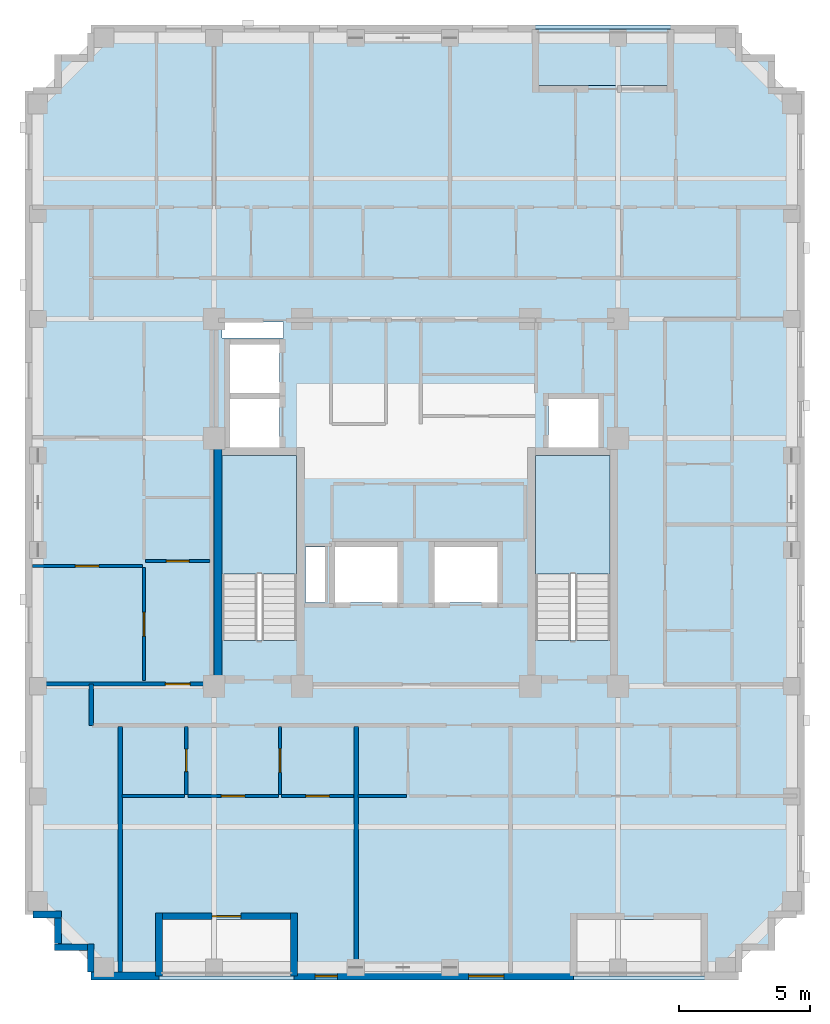
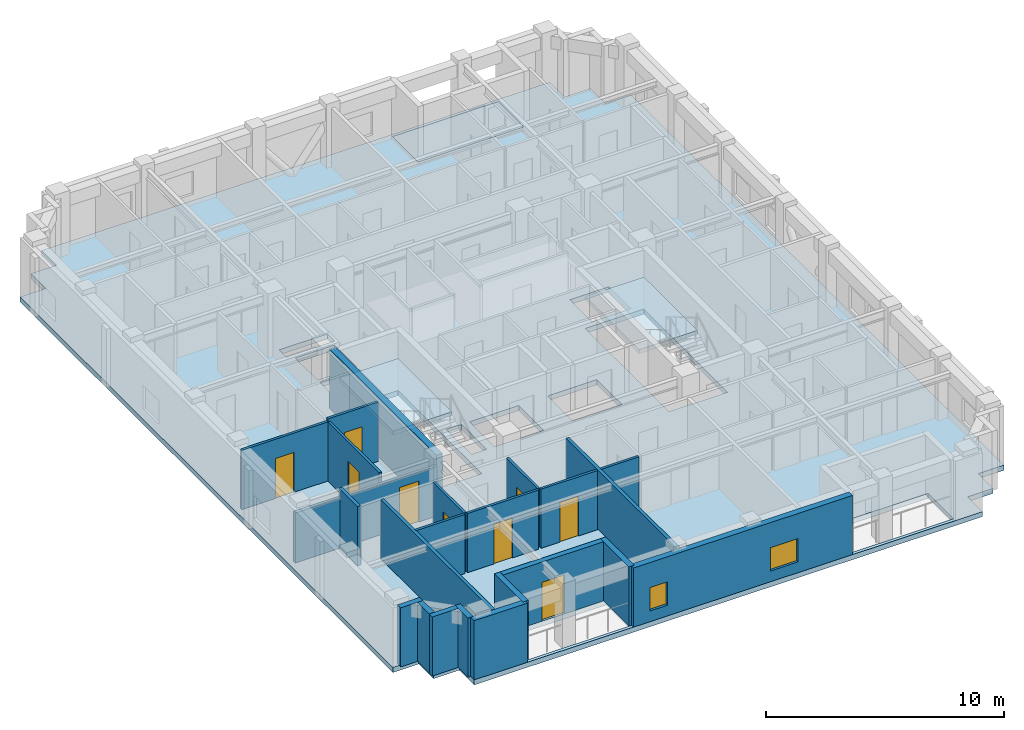
# One storey, part 2 of 11: 23 walls, 9 doors, 4 slabs, 2 windows, 11 openings, 2 elements without a shape of their own.
"""IFC4 building model written with IfcOpenShell, lengths in metres."""

from ifc_helpers import new_model, si_unit, derived_unit, direction, frame, frame_2d, origin, place, context, subcontext, project, spatial, polyline, rectangle, outline, extrude, material, layer, layer_set, type_object, element, fill, aggregate, save


model = new_model("IFC4")

# Units and contexts
model_context = context("Model", 3, precision=1e-05, world=origin(), true_north=direction((0.0, 1.0)))
body_context = subcontext(model_context, "Body", "Model", "MODEL_VIEW")
ifc_project = project(units=[si_unit("LENGTHUNIT", "METRE"), si_unit("AREAUNIT", "SQUARE_METRE"), si_unit("VOLUMEUNIT", "CUBIC_METRE"), si_unit("PLANEANGLEUNIT", "RADIAN"), si_unit("MASSUNIT", "GRAM", prefix="KILO"), derived_unit("THERMALTRANSMITTANCEUNIT", [(si_unit("MASSUNIT", "GRAM", prefix="KILO"), 1), (si_unit("TIMEUNIT", "SECOND"), -3), (si_unit("THERMODYNAMICTEMPERATUREUNIT", "KELVIN"), -1)])], contexts=[model_context])

# Site, building, storey
site_placement = place(None, origin())
site = spatial("IfcSite", under=ifc_project, at=site_placement, CompositionType="ELEMENT")
building_placement = place(site_placement, origin())
building = spatial("IfcBuilding", under=site, at=building_placement, Name="Korrvale Station Residences", CompositionType="ELEMENT")
storey_placement = place(building_placement, frame((0.0, 0.0, 210.699951171875)))
storey = spatial("IfcBuildingStorey", under=building, at=storey_placement, Name="L61", CompositionType="ELEMENT", Elevation=210.699951171875)

# Slabs
ifc_material_1 = material(Name="Concrete C50/60", Category="concrete")
ifc_layer_1 = layer(ifc_material_1, 0.219970703125, Name="Concrete C50/60")
ifc_layer_set_1 = layer_set([ifc_layer_1], Name="Concrete C50/60")
slab_type_1 = type_object("IfcSlabType", Name="SLB-BAL-220", PredefinedType="FLOOR", material=ifc_layer_set_1)
slab_1_placement = place(storey_placement, frame((0.0, 0.0, -0.219970703125)))
element("IfcSlab", 1, at=slab_1_placement, inside=storey, type_object=slab_type_1, Name="L61 Recessed Loggia Balcony Slab BAL-L61-N1", PredefinedType="FLOOR", context=body_context, shape_type="SweptSolid", body=[
    extrude(outline(polyline([(30.050048828125, 37.89990234375), (35.199951171875, 37.89990234375), (35.199951171875, 40.050048828125), (30.050048828125, 40.050048828125), (30.050048828125, 37.89990234375)])), origin(), (0.0, 0.0, 1.0), 0.219970703125),
])
ifc_layer_2 = layer(ifc_material_1, 0.260009765625, Name="Concrete C50/60")
ifc_layer_set_2 = layer_set([ifc_layer_2], Name="Concrete C50/60")
slab_type_2 = type_object("IfcSlabType", Name="SLB-FLR-260", PredefinedType="FLOOR", material=ifc_layer_set_2)
slab_2_placement = place(storey_placement, frame((0.0, 0.0, -0.260009765625)))
element("IfcSlab", 2, at=slab_2_placement, inside=storey, type_object=slab_type_2, Name="L61 Suspended Structural Floor Slab", PredefinedType="FLOOR", context=body_context, shape_type="SweptSolid", body=[
    extrude(outline(polyline([(13.10009765625, 3.800048828125), (37.800048828125, 3.800048828125), (37.800048828125, 5.050048828125), (39.050048828125, 5.050048828125), (39.050048828125, 6.300048828125), (40.300048828125, 6.300048828125), (40.300048828125, 37.699951171875), (39.050048828125, 37.699951171875), (39.050048828125, 38.949951171875), (37.800048828125, 38.949951171875), (37.800048828125, 40.199951171875), (13.10009765625, 40.199951171875), (13.10009765625, 38.949951171875), (11.85009765625, 38.949951171875), (11.85009765625, 37.699951171875), (10.60009765625, 37.699951171875), (10.60009765625, 6.300048828125), (11.85009765625, 6.300048828125), (11.85009765625, 5.050048828125), (13.10009765625, 5.050048828125), (13.10009765625, 3.800048828125)]), holes=[polyline([(20.949951171875, 16.751953125), (20.949951171875, 23.800048828125), (18.10009765625, 23.800048828125), (18.10009765625, 16.751953125), (20.949951171875, 16.751953125)]), polyline([(32.89990234375, 16.751953125), (32.89990234375, 23.800048828125), (30.050048828125, 23.800048828125), (30.050048828125, 16.751953125), (32.89990234375, 16.751953125)]), polyline([(18.39990234375, 24.10009765625), (20.300048828125, 24.10009765625), (20.300048828125, 25.949951171875), (18.39990234375, 25.949951171875), (18.39990234375, 24.10009765625)]), polyline([(18.39990234375, 26.169921875), (20.300048828125, 26.169921875), (20.300048828125, 28.02001953125), (18.39990234375, 28.02001953125), (18.39990234375, 26.169921875)]), polyline([(30.550048828125, 24.10009765625), (32.449951171875, 24.10009765625), (32.449951171875, 25.949951171875), (30.550048828125, 25.949951171875), (30.550048828125, 24.10009765625)]), polyline([(22.39990234375, 18.199951171875), (24.800048828125, 18.199951171875), (24.800048828125, 20.300048828125), (22.39990234375, 20.300048828125), (22.39990234375, 18.199951171875)]), polyline([(26.199951171875, 18.199951171875), (28.60009765625, 18.199951171875), (28.60009765625, 20.300048828125), (26.199951171875, 20.300048828125), (26.199951171875, 18.199951171875)]), polyline([(18.10009765625, 28.280029296875), (20.449951171875, 28.280029296875), (20.449951171875, 28.8798828125), (18.10009765625, 28.8798828125), (18.10009765625, 28.280029296875)]), polyline([(21.280029296875, 18.199951171875), (22.02001953125, 18.199951171875), (22.02001953125, 20.300048828125), (21.280029296875, 20.300048828125), (21.280029296875, 18.199951171875)]), polyline([(15.699951171875, 3.949951171875), (20.85009765625, 3.949951171875), (20.85009765625, 6.10009765625), (15.699951171875, 6.10009765625), (15.699951171875, 3.949951171875)]), polyline([(30.050048828125, 37.89990234375), (35.199951171875, 37.89990234375), (35.199951171875, 40.050048828125), (30.050048828125, 40.050048828125), (30.050048828125, 37.89990234375)]), polyline([(31.5, 3.949951171875), (36.5, 3.949951171875), (36.5, 6.10009765625), (31.5, 6.10009765625), (31.5, 3.949951171875)])]), origin(), (0.0, 0.0, 1.0), 0.260009765625),
])

# Stair, slab
stair_type = type_object("IfcStairType", Name="STR-DL-1350-20R-1650", PredefinedType="HALF_TURN_STAIR", material=ifc_material_1)
stair_1_placement = place(storey_placement, origin())
stair_1 = element("IfcStair", 3, at=stair_1_placement, inside=storey, type_object=stair_type, Name="L61 Exit Stair 1", PredefinedType="HALF_TURN_STAIR")
ifc_layer_3 = layer(ifc_material_1, 0.199951171875, Name="Concrete C50/60")
ifc_layer_set_3 = layer_set([ifc_layer_3], Name="Concrete C50/60")
slab_type_3 = type_object("IfcSlabType", Name="SLB-LND-200", PredefinedType="LANDING", material=ifc_layer_set_3)
slab_3_placement = place(storey_placement, frame((0.0, 0.0, 1.449951171875)))
slab_3 = element("IfcSlab", 4, at=slab_3_placement, type_object=slab_type_3, Name="ST-1 landing 1", PredefinedType="LANDING", context=body_context, shape_type="SweptSolid", body=[
    extrude(outline(polyline([(20.949951171875, 19.27001953125), (20.949951171875, 23.800048828125), (18.10009765625, 23.800048828125), (18.10009765625, 19.27001953125), (20.949951171875, 19.27001953125)])), origin(), (0.0, 0.0, 1.0), 0.2001953125),
])
aggregate(stair_1, [slab_3])

stair_2_placement = place(storey_placement, origin())
stair_2 = element("IfcStair", 5, at=stair_2_placement, inside=storey, type_object=stair_type, Name="L61 Exit Stair 2", PredefinedType="HALF_TURN_STAIR")
slab_4_placement = place(storey_placement, frame((0.0, 0.0, 1.449951171875)))
slab_4 = element("IfcSlab", 6, at=slab_4_placement, type_object=slab_type_3, Name="ST-2 landing 1", PredefinedType="LANDING", context=body_context, shape_type="SweptSolid", body=[
    extrude(outline(polyline([(32.89990234375, 19.27001953125), (32.89990234375, 23.800048828125), (30.050048828125, 23.800048828125), (30.050048828125, 19.27001953125), (32.89990234375, 19.27001953125)])), origin(), (0.0, 0.0, 1.0), 0.2001953125),
])
aggregate(stair_2, [slab_4])

# Walls
ifc_layer_4 = layer(ifc_material_1, 0.300048828125, Name="Concrete C50/60")
ifc_layer_set_4 = layer_set([ifc_layer_4], Name="Concrete C50/60")
wall_type_1 = type_object("IfcWallType", Name="WAL-CORE-300-C50", PredefinedType="SHEAR", material=ifc_layer_set_4)
wall_1_placement = place(storey_placement, frame((17.949951171875, 15.10009765625, 0.0), z_axis=(0.0, 0.0, 1.0), x_axis=(0.0, 1.0, 0.0)))
element("IfcWall", 7, at=wall_1_placement, inside=storey, type_object=wall_type_1, Name="L61 ST-1 Core Shear Wall West", PredefinedType="SHEAR", context=body_context, shape_type="SweptSolid", body=[
    extrude(rectangle(XDim=9.0, YDim=0.300048828125, at=frame_2d((4.5, 0.0))), origin(), (0.0, 0.0, 1.0), 3.0400390625),
])
ifc_material_2 = material(Name="Precast concrete C45/55", Category="concrete")
ifc_layer_5 = layer(ifc_material_2, 0.260009765625, Name="Precast concrete C45/55")
ifc_layer_set_5 = layer_set([ifc_layer_5], Name="Precast concrete C45/55")
wall_type_2 = type_object("IfcWallType", Name="WAL-EXT-LOG260", PredefinedType="SOLIDWALL", material=ifc_layer_set_5)
wall_2_placement = place(storey_placement, frame((20.85009765625, 3.9599609375, 0.0), z_axis=(0.0, 0.0, 1.0), x_axis=(0.0, 1.0, 0.0)))
element("IfcWall", 8, at=wall_2_placement, inside=storey, type_object=wall_type_2, Name="L61 Recessed Loggia Wall BAL-L61-S1-L", PredefinedType="SOLIDWALL", context=body_context, shape_type="SweptSolid", body=[
    extrude(rectangle(XDim=2.400146484375, YDim=0.260009765625, at=frame_2d((1.2001953125, 0.0))), origin(), (0.0, 0.0, 1.0), 3.0400390625),
])

# Wall, opening, door
wall_3_placement = place(storey_placement, frame((20.716064453125, 6.22998046875, 0.0), z_axis=(0.0, 0.0, 1.0), x_axis=(-1.0, 0.0, 0.0)))
wall_3 = element("IfcWall", 9, at=wall_3_placement, inside=storey, type_object=wall_type_2, Name="L61 Recessed Loggia Wall BAL-L61-S1-B", PredefinedType="SOLIDWALL", context=body_context, shape_type="SweptSolid", body=[
    extrude(rectangle(XDim=4.882080078125, YDim=0.260009765625, at=frame_2d((2.44091796875, 0.0))), origin(), (0.0, 0.0, 1.0), 3.0400390625),
])
opening_1_placement = place(wall_3_placement, frame((1.89111328125, 0.0, 0.0)))
opening_1 = element("IfcOpeningElement", 10, at=opening_1_placement, cuts=wall_3, Name="Opening BD-01", PredefinedType="OPENING", context=body_context, shape_type="SweptSolid", body=[
    extrude(rectangle(XDim=1.10009765625, YDim=2.0, at=frame_2d((0.550048828125, 1.0))), frame((0.0, 0.14013671875, 0.0), z_axis=(0.0, -1.0, 0.0), x_axis=(1.0, 0.0, 0.0)), (0.0, 0.0, 1.0), 0.280029296875),
])
ifc_material_3 = material(Name="Exterior thermally broken aluminium glazed balcony door", Category="aluminium")
door_type_1 = type_object("IfcDoorType", Name="DR-EXT-BAL", OperationType="NOTDEFINED", PredefinedType="DOOR", material=ifc_material_3)
door_1_placement = place(opening_1_placement, origin())
door_1 = element("IfcDoor", 11, at=door_1_placement, inside=storey, type_object=door_type_1, Name="L61 Loggia Balcony Door BAL-L61-S1", OperationType="SINGLE_SWING_RIGHT", OverallHeight=2.0, OverallWidth=1.10009765625, PredefinedType="DOOR", context=body_context, shape_type="SweptSolid", body=[
    extrude(rectangle(XDim=1.10009765625, YDim=2.0, at=frame_2d((0.550048828125, 1.0))), frame((0.0, 0.02490234375, 0.0), z_axis=(0.0, -1.0, 0.0), x_axis=(1.0, 0.0, 0.0)), (0.0, 0.0, 1.0), 0.050048828125),
])
fill(opening_1, door_1)

# Walls
wall_4_placement = place(storey_placement, frame((15.699951171875, 6.360107421875, 0.0), z_axis=(0.0, 0.0, 1.0), x_axis=(0.0, -1.0, 0.0)))
element("IfcWall", 12, at=wall_4_placement, inside=storey, type_object=wall_type_2, Name="L61 Recessed Loggia Wall BAL-L61-S1-R", PredefinedType="SOLIDWALL", context=body_context, shape_type="SweptSolid", body=[
    extrude(rectangle(XDim=2.400146484375, YDim=0.260009765625, at=frame_2d((1.2001953125, 0.0))), origin(), (0.0, 0.0, 1.0), 3.0400390625),
])
wall_5_placement = place(storey_placement, frame((13.10009765625, 4.10205078125, 0.0), z_axis=(0.0, 0.0, 1.0), x_axis=(0.0, 1.0, 0.0)))
element("IfcWall", 13, at=wall_5_placement, inside=storey, type_object=wall_type_2, Name="L61 Serrated Corner Precast Step SW-1", PredefinedType="SOLIDWALL", context=body_context, shape_type="SweptSolid", body=[
    extrude(rectangle(XDim=1.077880859375, YDim=0.260009765625, at=frame_2d((0.5390625, 0.0))), origin(), (0.0, 0.0, 1.0), 3.0400390625),
])
wall_6_placement = place(storey_placement, frame((12.968017578125, 5.050048828125, 0.0), z_axis=(0.0, 0.0, 1.0), x_axis=(-1.0, 0.0, 0.0)))
element("IfcWall", 14, at=wall_6_placement, inside=storey, type_object=wall_type_2, Name="L61 Serrated Corner Precast Step SW-2", PredefinedType="SOLIDWALL", context=body_context, shape_type="SweptSolid", body=[
    extrude(rectangle(XDim=1.248046875, YDim=0.260009765625, at=frame_2d((0.6240234375, 0.0))), origin(), (0.0, 0.0, 1.0), 3.0400390625),
])
wall_7_placement = place(storey_placement, frame((11.85009765625, 5.181884765625, 0.0), z_axis=(0.0, 0.0, 1.0), x_axis=(0.0, 1.0, 0.0)))
element("IfcWall", 15, at=wall_7_placement, inside=storey, type_object=wall_type_2, Name="L61 Serrated Corner Precast Step SW-3", PredefinedType="SOLIDWALL", context=body_context, shape_type="SweptSolid", body=[
    extrude(rectangle(XDim=0.986083984375, YDim=0.260009765625, at=frame_2d((0.4931640625, 0.0))), origin(), (0.0, 0.0, 1.0), 3.0400390625),
])
wall_8_placement = place(storey_placement, frame((11.97998046875, 6.300048828125, 0.0), z_axis=(0.0, 0.0, 1.0), x_axis=(-1.0, 0.0, 0.0)))
element("IfcWall", 16, at=wall_8_placement, inside=storey, type_object=wall_type_2, Name="L61 Serrated Corner Precast Step SW-4", PredefinedType="SOLIDWALL", context=body_context, shape_type="SweptSolid", body=[
    extrude(rectangle(XDim=1.077880859375, YDim=0.260009765625, at=frame_2d((0.5390625, 0.0))), origin(), (0.0, 0.0, 1.0), 3.0400390625),
])

# Wall, openings, windows
ifc_layer_6 = layer(ifc_material_2, 0.300048828125, Name="Precast concrete C45/55")
ifc_layer_set_6 = layer_set([ifc_layer_6], Name="Precast concrete C45/55")
wall_type_3 = type_object("IfcWallType", Name="WAL-EXT-PC300", PredefinedType="SOLIDWALL", material=ifc_layer_set_6)
wall_9_placement = place(storey_placement, frame((31.5, 3.949951171875, 0.0), z_axis=(0.0, 0.0, 1.0), x_axis=(-1.0, 0.0, 0.0)))
wall_9 = element("IfcWall", 17, at=wall_9_placement, inside=storey, type_object=wall_type_3, Name="L61 South Exterior Precast Wall 2", PredefinedType="SOLIDWALL", context=body_context, shape_type="SweptSolid", body=[
    extrude(rectangle(XDim=10.64990234375, YDim=0.300048828125, at=frame_2d((5.324951171875, 0.0))), origin(), (0.0, 0.0, 1.0), 3.0400390625),
])
opening_2_placement = place(wall_9_placement, frame((9.0, 0.0, 0.550048828125)))
opening_2 = element("IfcOpeningElement", 18, at=opening_2_placement, cuts=wall_9, Name="Opening W-11", PredefinedType="OPENING", context=body_context, shape_type="SweptSolid", body=[
    extrude(rectangle(XDim=0.85009765625, YDim=1.199951171875, at=frame_2d((0.425048828125, 0.60009765625))), frame((0.0, 0.16015625, 0.0), z_axis=(0.0, -1.0, 0.0), x_axis=(1.0, 0.0, 0.0)), (0.0, 0.0, 1.0), 0.320068359375),
])
opening_3_placement = place(wall_9_placement, frame((2.64990234375, 0.0, 0.550048828125)))
opening_3 = element("IfcOpeningElement", 19, at=opening_3_placement, cuts=wall_9, Name="Opening W-10", PredefinedType="OPENING", context=body_context, shape_type="SweptSolid", body=[
    extrude(rectangle(XDim=1.35009765625, YDim=1.199951171875, at=frame_2d((0.675048828125, 0.60009765625))), frame((0.0, 0.16015625, 0.0), z_axis=(0.0, -1.0, 0.0), x_axis=(1.0, 0.0, 0.0)), (0.0, 0.0, 1.0), 0.320068359375),
])
ifc_material_4 = material(Name="Thermally broken aluminium frame with triple low-e glazing", Category="aluminium")
window_type_1 = type_object("IfcWindowType", Name="WIN-W10", PartitioningType="SINGLE_PANEL", PredefinedType="WINDOW", material=ifc_material_4)
window_1_placement = place(opening_3_placement, origin())
window_1 = element("IfcWindow", 20, at=window_1_placement, inside=storey, type_object=window_type_1, Name="L61 Punched Window 02", OverallHeight=1.199951171875, OverallWidth=1.35009765625, PartitioningType="SINGLE_PANEL", PredefinedType="WINDOW", context=body_context, shape_type="SweptSolid", body=[
    extrude(rectangle(XDim=1.35009765625, YDim=1.199951171875, at=frame_2d((0.675048828125, 0.60009765625))), frame((0.0, 0.030029296875, 0.0), z_axis=(0.0, -1.0, 0.0), x_axis=(1.0, 0.0, 0.0)), (0.0, 0.0, 1.0), 0.06005859375),
])
fill(opening_3, window_1)
window_type_2 = type_object("IfcWindowType", Name="WIN-W11", PartitioningType="SINGLE_PANEL", PredefinedType="WINDOW", material=ifc_material_4)
window_2_placement = place(opening_2_placement, origin())
window_2 = element("IfcWindow", 21, at=window_2_placement, inside=storey, type_object=window_type_2, Name="L61 Punched Window 01", OverallHeight=1.199951171875, OverallWidth=0.85009765625, PartitioningType="SINGLE_PANEL", PredefinedType="WINDOW", context=body_context, shape_type="SweptSolid", body=[
    extrude(rectangle(XDim=0.85009765625, YDim=1.199951171875, at=frame_2d((0.425048828125, 0.60009765625))), frame((0.0, 0.030029296875, 0.0), z_axis=(0.0, -1.0, 0.0), x_axis=(1.0, 0.0, 0.0)), (0.0, 0.0, 1.0), 0.06005859375),
])
fill(opening_2, window_2)

# Wall
wall_10_placement = place(storey_placement, frame((15.699951171875, 3.949951171875, 0.0), z_axis=(0.0, 0.0, 1.0), x_axis=(-1.0, 0.0, 0.0)))
element("IfcWall", 22, at=wall_10_placement, inside=storey, type_object=wall_type_3, Name="L61 South Exterior Precast Wall 3", PredefinedType="SOLIDWALL", context=body_context, shape_type="SweptSolid", body=[
    extrude(rectangle(XDim=2.599853515625, YDim=0.300048828125, at=frame_2d((1.2998046875, 0.0))), origin(), (0.0, 0.0, 1.0), 3.0400390625),
])

# Wall, opening, door
ifc_material_5 = material(Name="Acoustic steel-stud gypsum board partition", Category="steel")
ifc_layer_7 = layer(ifc_material_5, 0.1201171875, Name="Acoustic steel-stud gypsum board partition")
ifc_layer_set_7 = layer_set([ifc_layer_7], Name="Acoustic steel-stud gypsum board partition")
wall_type_4 = type_object("IfcWallType", Name="WAL-PART-125", PredefinedType="PARTITIONING", material=ifc_layer_set_7)
wall_11_placement = place(storey_placement, frame((16.739990234375, 10.8701171875, 0.0), z_axis=(0.0, 0.0, 1.0), x_axis=(0.0, 1.0, 0.0)))
wall_11 = element("IfcWall", 23, at=wall_11_placement, inside=storey, type_object=wall_type_4, Name="L61 Suite Partition U01-V01", PredefinedType="PARTITIONING", context=body_context, shape_type="SweptSolid", body=[
    extrude(rectangle(XDim=2.599853515625, YDim=0.1201171875, at=frame_2d((1.2998046875, 0.0))), origin(), (0.0, 0.0, 1.0), 3.0400390625),
])
opening_4_placement = place(wall_11_placement, frame((0.8701171875, 0.0, 0.0)))
opening_4 = element("IfcOpeningElement", 24, at=opening_4_placement, cuts=wall_11, Name="Opening DB-860", PredefinedType="OPENING", context=body_context, shape_type="SweptSolid", body=[
    extrude(rectangle(XDim=0.860107421875, YDim=2.050048828125, at=frame_2d((0.43017578125, 1.02490234375))), frame((0.0, 0.070068359375, 0.0), z_axis=(0.0, -1.0, 0.0), x_axis=(1.0, 0.0, 0.0)), (0.0, 0.0, 1.0), 0.14013671875),
])
ifc_material_6 = material(Name="Moisture-resistant solid-core bathroom door", Category="timber")
door_type_2 = type_object("IfcDoorType", Name="DR-BATH-860", OperationType="NOTDEFINED", PredefinedType="DOOR", material=ifc_material_6)
door_2_placement = place(opening_4_placement, origin())
door_2 = element("IfcDoor", 25, at=door_2_placement, inside=storey, type_object=door_type_2, Name="L61 Studio Apartment L61-U01 Bathroom Door", OperationType="SINGLE_SWING_RIGHT", OverallHeight=2.050048828125, OverallWidth=0.860107421875, PredefinedType="DOOR", context=body_context, shape_type="SweptSolid", body=[
    extrude(rectangle(XDim=0.860107421875, YDim=2.050048828125, at=frame_2d((0.43017578125, 1.02490234375))), frame((0.0, 0.02490234375, 0.0), z_axis=(0.0, -1.0, 0.0), x_axis=(1.0, 0.0, 0.0)), (0.0, 0.0, 1.0), 0.050048828125),
])
fill(opening_4, door_2)

# Wall
wall_12_placement = place(storey_placement, frame((14.280029296875, 10.81005859375, 0.0), z_axis=(0.0, 0.0, 1.0), x_axis=(1.0, 0.0, 0.0)))
element("IfcWall", 26, at=wall_12_placement, inside=storey, type_object=wall_type_4, Name="L61 Suite Partition U01-H03", PredefinedType="PARTITIONING", context=body_context, shape_type="SweptSolid", body=[
    extrude(rectangle(XDim=2.39990234375, YDim=0.1201171875, at=frame_2d((1.199951171875, 0.0))), origin(), (0.0, 0.0, 1.0), 3.0400390625),
])

# Wall, opening, door
wall_13_placement = place(storey_placement, frame((20.31005859375, 10.8701171875, 0.0), z_axis=(0.0, 0.0, 1.0), x_axis=(0.0, 1.0, 0.0)))
wall_13 = element("IfcWall", 27, at=wall_13_placement, inside=storey, type_object=wall_type_4, Name="L61 Suite Partition U01-V12", PredefinedType="PARTITIONING", context=body_context, shape_type="SweptSolid", body=[
    extrude(rectangle(XDim=2.599853515625, YDim=0.1201171875, at=frame_2d((1.2998046875, 0.0))), origin(), (0.0, 0.0, 1.0), 3.0400390625),
])
opening_5_placement = place(wall_13_placement, frame((0.85009765625, 0.0, 0.0)))
opening_5 = element("IfcOpeningElement", 28, at=opening_5_placement, cuts=wall_13, Name="Opening DI-900", PredefinedType="OPENING", context=body_context, shape_type="SweptSolid", body=[
    extrude(rectangle(XDim=0.89990234375, YDim=2.050048828125, at=frame_2d((0.449951171875, 1.02490234375))), frame((0.0, 0.070068359375, 0.0), z_axis=(0.0, -1.0, 0.0), x_axis=(1.0, 0.0, 0.0)), (0.0, 0.0, 1.0), 0.14013671875),
])
ifc_material_7 = material(Name="Painted solid-core timber interior room door", Category="wood")
door_type_3 = type_object("IfcDoorType", Name="DR-INT-900", OperationType="NOTDEFINED", PredefinedType="DOOR", material=ifc_material_7)
door_3_placement = place(opening_5_placement, origin())
door_3 = element("IfcDoor", 29, at=door_3_placement, inside=storey, type_object=door_type_3, Name="L61 Studio Apartment L61-U01 Kitchen Door", OperationType="SINGLE_SWING_LEFT", OverallHeight=2.050048828125, OverallWidth=0.89990234375, PredefinedType="DOOR", context=body_context, shape_type="SweptSolid", body=[
    extrude(rectangle(XDim=0.89990234375, YDim=2.050048828125, at=frame_2d((0.449951171875, 1.02490234375))), frame((0.0, 0.02490234375, 0.0), z_axis=(0.0, -1.0, 0.0), x_axis=(1.0, 0.0, 0.0)), (0.0, 0.0, 1.0), 0.050048828125),
])
fill(opening_5, door_3)

wall_14_placement = place(storey_placement, frame((16.800048828125, 10.81005859375, 0.0), z_axis=(0.0, 0.0, 1.0), x_axis=(1.0, 0.0, 0.0)))
wall_14 = element("IfcWall", 30, at=wall_14_placement, inside=storey, type_object=wall_type_4, Name="L61 Suite Partition U01-H13", PredefinedType="PARTITIONING", context=body_context, shape_type="SweptSolid", body=[
    extrude(rectangle(XDim=3.449951171875, YDim=0.1201171875, at=frame_2d((1.72509765625, 0.0))), origin(), (0.0, 0.0, 1.0), 3.0400390625),
])
opening_6_placement = place(wall_14_placement, frame((1.27490234375, 0.0, 0.0)))
opening_6 = element("IfcOpeningElement", 31, at=opening_6_placement, cuts=wall_14, Name="Opening DI-900", PredefinedType="OPENING", context=body_context, shape_type="SweptSolid", body=[
    extrude(rectangle(XDim=0.89990234375, YDim=2.050048828125, at=frame_2d((0.449951171875, 1.02490234375))), frame((0.0, 0.070068359375, 0.0), z_axis=(0.0, -1.0, 0.0), x_axis=(1.0, 0.0, 0.0)), (0.0, 0.0, 1.0), 0.14013671875),
])
door_4_placement = place(opening_6_placement, origin())
door_4 = element("IfcDoor", 32, at=door_4_placement, inside=storey, type_object=door_type_3, Name="L61 Studio Apartment L61-U01 Kitchen Door", OperationType="SINGLE_SWING_RIGHT", OverallHeight=2.050048828125, OverallWidth=0.89990234375, PredefinedType="DOOR", context=body_context, shape_type="SweptSolid", body=[
    extrude(rectangle(XDim=0.89990234375, YDim=2.050048828125, at=frame_2d((0.449951171875, 1.02490234375))), frame((0.0, 0.02490234375, 0.0), z_axis=(0.0, -1.0, 0.0), x_axis=(1.0, 0.0, 0.0)), (0.0, 0.0, 1.0), 0.050048828125),
])
fill(opening_6, door_4)

wall_15_placement = place(storey_placement, frame((20.3701171875, 10.81005859375, 0.0), z_axis=(0.0, 0.0, 1.0), x_axis=(1.0, 0.0, 0.0)))
wall_15 = element("IfcWall", 33, at=wall_15_placement, inside=storey, type_object=wall_type_4, Name="L61 Suite Partition U01-H23", PredefinedType="PARTITIONING", context=body_context, shape_type="SweptSolid", body=[
    extrude(rectangle(XDim=2.75, YDim=0.1201171875, at=frame_2d((1.375, 0.0))), origin(), (0.0, 0.0, 1.0), 3.0400390625),
])
opening_7_placement = place(wall_15_placement, frame((0.925048828125, 0.0, 0.0)))
opening_7 = element("IfcOpeningElement", 34, at=opening_7_placement, cuts=wall_15, Name="Opening DI-900", PredefinedType="OPENING", context=body_context, shape_type="SweptSolid", body=[
    extrude(rectangle(XDim=0.89990234375, YDim=2.050048828125, at=frame_2d((0.449951171875, 1.02490234375))), frame((0.0, 0.070068359375, 0.0), z_axis=(0.0, -1.0, 0.0), x_axis=(1.0, 0.0, 0.0)), (0.0, 0.0, 1.0), 0.14013671875),
])
door_5_placement = place(opening_7_placement, origin())
door_5 = element("IfcDoor", 35, at=door_5_placement, inside=storey, type_object=door_type_3, Name="L61 Studio Apartment L61-U01 Utility and Laundry Room Door", OperationType="SINGLE_SWING_LEFT", OverallHeight=2.050048828125, OverallWidth=0.89990234375, PredefinedType="DOOR", context=body_context, shape_type="SweptSolid", body=[
    extrude(rectangle(XDim=0.89990234375, YDim=2.050048828125, at=frame_2d((0.449951171875, 1.02490234375))), frame((0.0, 0.02490234375, 0.0), z_axis=(0.0, -1.0, 0.0), x_axis=(1.0, 0.0, 0.0)), (0.0, 0.0, 1.0), 0.050048828125),
])
fill(opening_7, door_5)

# Wall
wall_16_placement = place(storey_placement, frame((23.280029296875, 10.81005859375, 0.0), z_axis=(0.0, 0.0, 1.0), x_axis=(1.0, 0.0, 0.0)))
element("IfcWall", 36, at=wall_16_placement, inside=storey, type_object=wall_type_4, Name="L61 Suite Partition U02-H02", PredefinedType="PARTITIONING", context=body_context, shape_type="SweptSolid", body=[
    extrude(rectangle(XDim=1.849853515625, YDim=0.1201171875, at=frame_2d((0.9248046875, 0.0))), origin(), (0.0, 0.0, 1.0), 3.0400390625),
])

# Wall, opening, door
wall_17_placement = place(storey_placement, frame((15.18994140625, 19.77001953125, 0.0), z_axis=(0.0, 0.0, 1.0), x_axis=(1.0, 0.0, 0.0)))
wall_17 = element("IfcWall", 37, at=wall_17_placement, inside=storey, type_object=wall_type_4, Name="L61 Suite Partition U07-H12", PredefinedType="PARTITIONING", context=body_context, shape_type="SweptSolid", body=[
    extrude(rectangle(XDim=2.449951171875, YDim=0.1201171875, at=frame_2d((1.22509765625, 0.0))), origin(), (0.0, 0.0, 1.0), 3.0400390625),
])
opening_8_placement = place(wall_17_placement, frame((0.794921875, 0.0, 0.0)))
opening_8 = element("IfcOpeningElement", 38, at=opening_8_placement, cuts=wall_17, Name="Opening DB-860", PredefinedType="OPENING", context=body_context, shape_type="SweptSolid", body=[
    extrude(rectangle(XDim=0.860107421875, YDim=2.050048828125, at=frame_2d((0.43017578125, 1.02490234375))), frame((0.0, 0.070068359375, 0.0), z_axis=(0.0, -1.0, 0.0), x_axis=(1.0, 0.0, 0.0)), (0.0, 0.0, 1.0), 0.14013671875),
])
door_6_placement = place(opening_8_placement, origin())
door_6 = element("IfcDoor", 39, at=door_6_placement, inside=storey, type_object=door_type_2, Name="L61 Apartment 2BR L61-U07 Bathroom Door", OperationType="SINGLE_SWING_RIGHT", OverallHeight=2.050048828125, OverallWidth=0.860107421875, PredefinedType="DOOR", context=body_context, shape_type="SweptSolid", body=[
    extrude(rectangle(XDim=0.860107421875, YDim=2.050048828125, at=frame_2d((0.43017578125, 1.02490234375))), frame((0.0, 0.02490234375, 0.0), z_axis=(0.0, -1.0, 0.0), x_axis=(1.0, 0.0, 0.0)), (0.0, 0.0, 1.0), 0.050048828125),
])
fill(opening_8, door_6)

wall_18_placement = place(storey_placement, frame((15.1298828125, 15.2099609375, 0.0), z_axis=(0.0, 0.0, 1.0), x_axis=(0.0, 1.0, 0.0)))
wall_18 = element("IfcWall", 40, at=wall_18_placement, inside=storey, type_object=wall_type_4, Name="L61 Suite Partition U07-V23", PredefinedType="PARTITIONING", context=body_context, shape_type="SweptSolid", body=[
    extrude(rectangle(XDim=4.30810546875, YDim=0.1201171875, at=frame_2d((2.154052734375, 0.0))), origin(), (0.0, 0.0, 1.0), 3.0400390625),
])
opening_9_placement = place(wall_18_placement, frame((1.7041015625, 0.0, 0.0)))
opening_9 = element("IfcOpeningElement", 41, at=opening_9_placement, cuts=wall_18, Name="Opening DI-900", PredefinedType="OPENING", context=body_context, shape_type="SweptSolid", body=[
    extrude(rectangle(XDim=0.89990234375, YDim=2.050048828125, at=frame_2d((0.449951171875, 1.02490234375))), frame((0.0, 0.070068359375, 0.0), z_axis=(0.0, -1.0, 0.0), x_axis=(1.0, 0.0, 0.0)), (0.0, 0.0, 1.0), 0.14013671875),
])
door_7_placement = place(opening_9_placement, origin())
door_7 = element("IfcDoor", 42, at=door_7_placement, inside=storey, type_object=door_type_3, Name="L61 Apartment 2BR L61-U07 Kitchen Door", OperationType="SINGLE_SWING_LEFT", OverallHeight=2.050048828125, OverallWidth=0.89990234375, PredefinedType="DOOR", context=body_context, shape_type="SweptSolid", body=[
    extrude(rectangle(XDim=0.89990234375, YDim=2.050048828125, at=frame_2d((0.449951171875, 1.02490234375))), frame((0.0, 0.02490234375, 0.0), z_axis=(0.0, -1.0, 0.0), x_axis=(1.0, 0.0, 0.0)), (0.0, 0.0, 1.0), 0.050048828125),
])
fill(opening_9, door_7)

wall_19_placement = place(storey_placement, frame((10.8798828125, 19.577880859375, 0.0), z_axis=(0.0, 0.0, 1.0), x_axis=(1.0, 0.0, 0.0)))
wall_19 = element("IfcWall", 43, at=wall_19_placement, inside=storey, type_object=wall_type_4, Name="L61 Suite Partition U07-H34", PredefinedType="PARTITIONING", context=body_context, shape_type="SweptSolid", body=[
    extrude(rectangle(XDim=4.190185546875, YDim=0.1201171875, at=frame_2d((2.09521484375, 0.0))), origin(), (0.0, 0.0, 1.0), 3.0400390625),
])
opening_10_placement = place(wall_19_placement, frame((1.6298828125, 0.0, 0.0)))
opening_10 = element("IfcOpeningElement", 44, at=opening_10_placement, cuts=wall_19, Name="Opening DI-900", PredefinedType="OPENING", context=body_context, shape_type="SweptSolid", body=[
    extrude(rectangle(XDim=0.89990234375, YDim=2.050048828125, at=frame_2d((0.449951171875, 1.02490234375))), frame((0.0, 0.070068359375, 0.0), z_axis=(0.0, -1.0, 0.0), x_axis=(1.0, 0.0, 0.0)), (0.0, 0.0, 1.0), 0.14013671875),
])
door_8_placement = place(opening_10_placement, origin())
door_8 = element("IfcDoor", 45, at=door_8_placement, inside=storey, type_object=door_type_3, Name="L61 Apartment 2BR L61-U07 Bedroom 1 Door", OperationType="SINGLE_SWING_RIGHT", OverallHeight=2.050048828125, OverallWidth=0.89990234375, PredefinedType="DOOR", context=body_context, shape_type="SweptSolid", body=[
    extrude(rectangle(XDim=0.89990234375, YDim=2.050048828125, at=frame_2d((0.449951171875, 1.02490234375))), frame((0.0, 0.02490234375, 0.0), z_axis=(0.0, -1.0, 0.0), x_axis=(1.0, 0.0, 0.0)), (0.0, 0.0, 1.0), 0.050048828125),
])
fill(opening_10, door_8)

# Walls
ifc_material_8 = material(Name="Fire-rated twin-stud gypsum and mineral wool shaftwall assembly", Category="gypsum")
ifc_layer_8 = layer(ifc_material_8, 0.159912109375, Name="Fire-rated twin-stud gypsum and mineral wool shaftwall assembly")
ifc_layer_set_8 = layer_set([ifc_layer_8], Name="Fire-rated twin-stud gypsum and mineral wool shaftwall assembly")
wall_type_5 = type_object("IfcWallType", Name="WAL-PART-200", PredefinedType="PARTITIONING", material=ifc_layer_set_8)
wall_20_placement = place(storey_placement, frame((13.1201171875, 13.510009765625, 0.0), z_axis=(0.0, 0.0, 1.0), x_axis=(0.0, 1.0, 0.0)))
element("IfcWall", 46, at=wall_20_placement, inside=storey, type_object=wall_type_5, Name="L61 Corridor South West Cap", PredefinedType="PARTITIONING", context=body_context, shape_type="SweptSolid", body=[
    extrude(rectangle(XDim=1.580078125, YDim=0.159912109375, at=frame_2d((0.7900390625, 0.0))), origin(), (0.0, 0.0, 1.0), 3.0400390625),
])
for number, where, z_axis, x_axis, name in (
    (47, (14.219970703125, 4.080078125, 0.0), (0.0, 0.0, 1.0), (0.0, 1.0, 0.0), "L61 Demising Wall U01-W"),
    (48, (23.219970703125, 4.080078125, 0.0), (0.0, 0.0, 1.0), (0.0, 1.0, 0.0), "L61 Demising Wall U02-W"),
):
    element("IfcWall", number, at=place(storey_placement, frame(where, z_axis=z_axis, x_axis=x_axis)), inside=storey, type_object=wall_type_5, Name=name, PredefinedType="PARTITIONING", context=body_context, shape_type="SweptSolid", body=[
        extrude(rectangle(XDim=9.389892578125, YDim=0.159912109375, at=frame_2d((4.69482421875, 0.0))), origin(), (0.0, 0.0, 1.0), 3.0400390625),
    ])

# Wall, opening, door
wall_21_placement = place(storey_placement, frame((10.8798828125, 15.080078125, 0.0), z_axis=(0.0, 0.0, 1.0), x_axis=(1.0, 0.0, 0.0)))
wall_21 = element("IfcWall", 49, at=wall_21_placement, inside=storey, type_object=wall_type_5, Name="L61 Side Suite South Entry Wall U07", PredefinedType="PARTITIONING", context=body_context, shape_type="SweptSolid", body=[
    extrude(rectangle(XDim=6.880126953125, YDim=0.159912109375, at=frame_2d((3.43994140625, 0.0))), origin(), (0.0, 0.0, 1.0), 2.55615234375),
])
opening_11_placement = place(wall_21_placement, frame((5.06005859375, 0.0, 0.0)))
opening_11 = element("IfcOpeningElement", 50, at=opening_11_placement, cuts=wall_21, Name="Opening UD-950", PredefinedType="OPENING", context=body_context, shape_type="SweptSolid", body=[
    extrude(rectangle(XDim=0.949951171875, YDim=2.10009765625, at=frame_2d((0.47509765625, 1.050048828125))), frame((0.0, 0.08984375, 0.0), z_axis=(0.0, -1.0, 0.0), x_axis=(1.0, 0.0, 0.0)), (0.0, 0.0, 1.0), 0.179931640625),
])
ifc_material_9 = material(Name="Solid-core acoustic oak apartment entrance door", Category="timber")
door_type_4 = type_object("IfcDoorType", Name="DR-UNIT-950", OperationType="NOTDEFINED", PredefinedType="DOOR", material=ifc_material_9)
door_9_placement = place(opening_11_placement, origin())
door_9 = element("IfcDoor", 51, at=door_9_placement, inside=storey, type_object=door_type_4, Name="L61 Apartment L61-U07 Entrance Door", OperationType="SINGLE_SWING_LEFT", OverallHeight=2.10009765625, OverallWidth=0.949951171875, PredefinedType="DOOR", context=body_context, shape_type="SweptSolid", body=[
    extrude(rectangle(XDim=0.949951171875, YDim=2.10009765625, at=frame_2d((0.47509765625, 1.050048828125))), frame((0.0, 0.02490234375, 0.0), z_axis=(0.0, -1.0, 0.0), x_axis=(1.0, 0.0, 0.0)), (0.0, 0.0, 1.0), 0.050048828125),
])
fill(opening_11, door_9)

save(model, "model.ifc")
